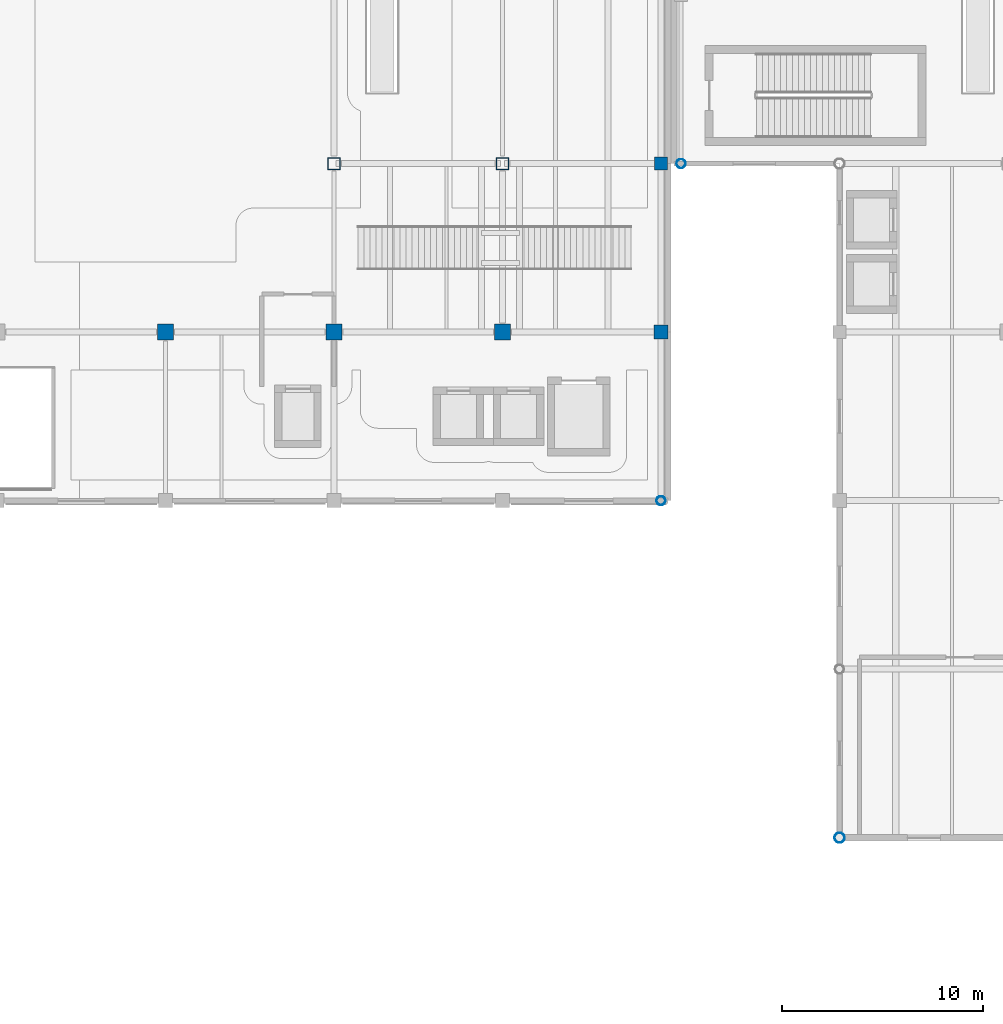
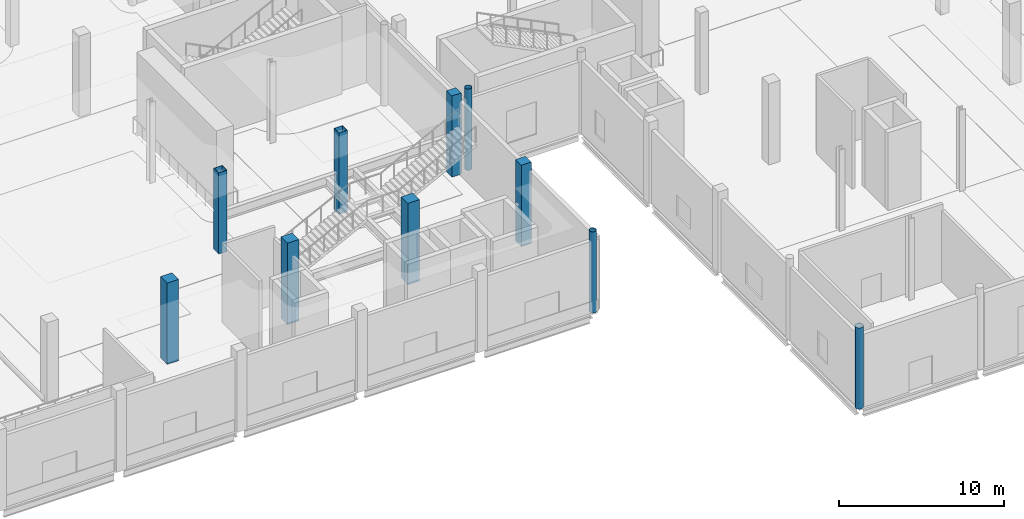
# One storey, part 2 of 85: 10 columns.
"""IFC4 building model written with IfcOpenShell, lengths in metres."""

from ifc_helpers import new_model, si_unit, direction, frame, origin, origin_2d, place, context, subcontext, project, spatial, rectangle, hollow_rectangle, hollow_circle, extrude, material, material_profile, profile_set, type_object, element, save


model = new_model("IFC4")

# Units and contexts
model_context = context("Model", 3, precision=1e-05, world=origin(), true_north=direction((0.0, 1.0)))
body_context = subcontext(model_context, "Body", "Model", "MODEL_VIEW")
ifc_project = project(units=[si_unit("LENGTHUNIT", "METRE"), si_unit("AREAUNIT", "SQUARE_METRE"), si_unit("VOLUMEUNIT", "CUBIC_METRE"), si_unit("PLANEANGLEUNIT", "RADIAN"), si_unit("MASSUNIT", "GRAM", prefix="KILO"), si_unit("THERMODYNAMICTEMPERATUREUNIT", "KELVIN")], contexts=[model_context])

# Site, building, storey
site_placement = place(None, origin())
site = spatial("IfcSite", under=ifc_project, at=site_placement, CompositionType="ELEMENT")
building_placement = place(site_placement, origin())
building = spatial("IfcBuilding", under=site, at=building_placement, Name="Lustrewick Department Store", CompositionType="ELEMENT")
storey_placement = place(building_placement, origin())
storey = spatial("IfcBuildingStorey", under=building, at=storey_placement, Name="L01", CompositionType="ELEMENT", Elevation=0.0)

# Columns
ifc_material_1 = material(Name="Structural steel Q355C", Category="steel")
ifc_material_profile_1 = material_profile(ifc_material_1, hollow_rectangle(XDim=0.60009765625, YDim=0.60009765625, WallThickness=0.02392578125, at=origin_2d()), Name="BOX 600x600x24")
ifc_profile_set_1 = profile_set([ifc_material_profile_1], Name="Structural steel Q355C")
column_type_1 = type_object("IfcColumnType", Name="C04", PredefinedType="COLUMN", material=ifc_profile_set_1)
for number, where, z_axis, x_axis, name in (
    (1, (42.0, 58.800048828125, 0.0), (0.0, 0.0, 1.0), (1.0, 0.0, 0.0), "L01 V1 Column C04"),
    (2, (50.39990234375, 58.800048828125, 0.0), (0.0, 0.0, 1.0), (1.0, 0.0, 0.0), "L01 V1 Column C04"),
):
    element("IfcColumn", number, at=place(storey_placement, frame(where, z_axis=z_axis, x_axis=x_axis)), inside=storey, type_object=column_type_1, Name=name, PredefinedType="COLUMN", context=body_context, shape_type="SweptSolid", body=[
        extrude(hollow_rectangle(XDim=0.60009765625, YDim=0.60009765625, WallThickness=0.02392578125, at=origin_2d()), origin(), (0.0, 0.0, 1.0), 6.0),
    ])
ifc_material_2 = material(Name="Concrete C40", Category="concrete")
ifc_material_profile_2 = material_profile(ifc_material_2, rectangle(XDim=0.800048828125, YDim=0.800048828125, at=origin_2d()), Name="RC 800x800")
ifc_profile_set_2 = profile_set([ifc_material_profile_2], Name="Concrete C40")
column_type_2 = type_object("IfcColumnType", Name="C19", PredefinedType="COLUMN", material=ifc_profile_set_2)
for number, where, z_axis, x_axis, name in (
    (3, (33.60009765625, 50.39990234375, 0.0), (0.0, 0.0, 1.0), (1.0, 0.0, 0.0), "L01 V1 Column C19"),
    (4, (42.0, 50.39990234375, 0.0), (0.0, 0.0, 1.0), (1.0, 0.0, 0.0), "L01 V1 Column C19"),
    (5, (50.39990234375, 50.39990234375, 0.0), (0.0, 0.0, 1.0), (1.0, 0.0, 0.0), "L01 V1 Column C19"),
):
    element("IfcColumn", number, at=place(storey_placement, frame(where, z_axis=z_axis, x_axis=x_axis)), inside=storey, type_object=column_type_2, Name=name, PredefinedType="COLUMN", context=body_context, shape_type="SweptSolid", body=[
        extrude(rectangle(XDim=0.800048828125, YDim=0.800048828125, at=origin_2d()), origin(), (0.0, 0.0, 1.0), 6.0),
    ])
ifc_material_profile_3 = material_profile(ifc_material_1, hollow_circle(Radius=0.25390625, WallThickness=0.01611328125, at=origin_2d()), Name="CHS 508x16")
ifc_profile_set_3 = profile_set([ifc_material_profile_3], Name="Structural steel Q355C")
column_type_3 = type_object("IfcColumnType", Name="CE01", PredefinedType="COLUMN", material=ifc_profile_set_3)
column_1_placement = place(storey_placement, frame((67.199951171875, 25.199951171875, 0.0), z_axis=(0.0, 0.0, 1.0), x_axis=(1.0, 0.0, 0.0)))
element("IfcColumn", 6, at=column_1_placement, inside=storey, type_object=column_type_3, Name="L01 V2 Column CE01", PredefinedType="COLUMN", context=body_context, shape_type="SweptSolid", body=[
    extrude(hollow_circle(Radius=0.25390625, WallThickness=0.01611328125, at=origin_2d()), origin(), (0.0, 0.0, 1.0), 6.0),
])
ifc_material_profile_4 = material_profile(ifc_material_1, hollow_circle(Radius=0.228515625, WallThickness=0.01611328125, at=origin_2d()), Name="CHS 457x16")
ifc_profile_set_4 = profile_set([ifc_material_profile_4], Name="Structural steel Q355C")
column_type_4 = type_object("IfcColumnType", Name="CE02", PredefinedType="COLUMN", material=ifc_profile_set_4)
for number, where, z_axis, x_axis, name in (
    (7, (58.300048828125, 42.0, 0.0), (0.0, 0.0, 1.0), (1.0, 0.0, 0.0), "L01 V1 Column CE02"),
    (8, (59.300048828125, 58.800048828125, 0.0), (0.0, 0.0, 1.0), (1.0, 0.0, 0.0), "L01 V2 Column CE02"),
):
    element("IfcColumn", number, at=place(storey_placement, frame(where, z_axis=z_axis, x_axis=x_axis)), inside=storey, type_object=column_type_4, Name=name, PredefinedType="COLUMN", context=body_context, shape_type="SweptSolid", body=[
        extrude(hollow_circle(Radius=0.228515625, WallThickness=0.01611328125, at=origin_2d()), origin(), (0.0, 0.0, 1.0), 6.0),
    ])
ifc_material_profile_5 = material_profile(ifc_material_2, rectangle(XDim=0.699951171875, YDim=0.699951171875, at=origin_2d()), Name="RC 700x700")
ifc_profile_set_5 = profile_set([ifc_material_profile_5], Name="Concrete C40")
column_type_5 = type_object("IfcColumnType", Name="CE06", PredefinedType="COLUMN", material=ifc_profile_set_5)
column_2_placement = place(storey_placement, frame((58.300048828125, 50.39990234375, 0.0), z_axis=(0.0, 0.0, 1.0), x_axis=(1.0, 0.0, 0.0)))
element("IfcColumn", 9, at=column_2_placement, inside=storey, type_object=column_type_5, Name="L01 V1 Column CE06", PredefinedType="COLUMN", context=body_context, shape_type="SweptSolid", body=[
    extrude(rectangle(XDim=0.699951171875, YDim=0.699951171875, at=origin_2d()), origin(), (0.0, 0.0, 1.0), 6.0),
])
ifc_material_profile_6 = material_profile(ifc_material_2, rectangle(XDim=0.64990234375, YDim=0.64990234375, at=origin_2d()), Name="RC 650x650")
ifc_profile_set_6 = profile_set([ifc_material_profile_6], Name="Concrete C40")
column_type_6 = type_object("IfcColumnType", Name="CE07", PredefinedType="COLUMN", material=ifc_profile_set_6)
column_3_placement = place(storey_placement, frame((58.300048828125, 58.800048828125, 0.0), z_axis=(0.0, 0.0, 1.0), x_axis=(1.0, 0.0, 0.0)))
element("IfcColumn", 10, at=column_3_placement, inside=storey, type_object=column_type_6, Name="L01 V1 Column CE07", PredefinedType="COLUMN", context=body_context, shape_type="SweptSolid", body=[
    extrude(rectangle(XDim=0.64990234375, YDim=0.64990234375, at=origin_2d()), origin(), (0.0, 0.0, 1.0), 6.0),
])

save(model, "model.ifc")
